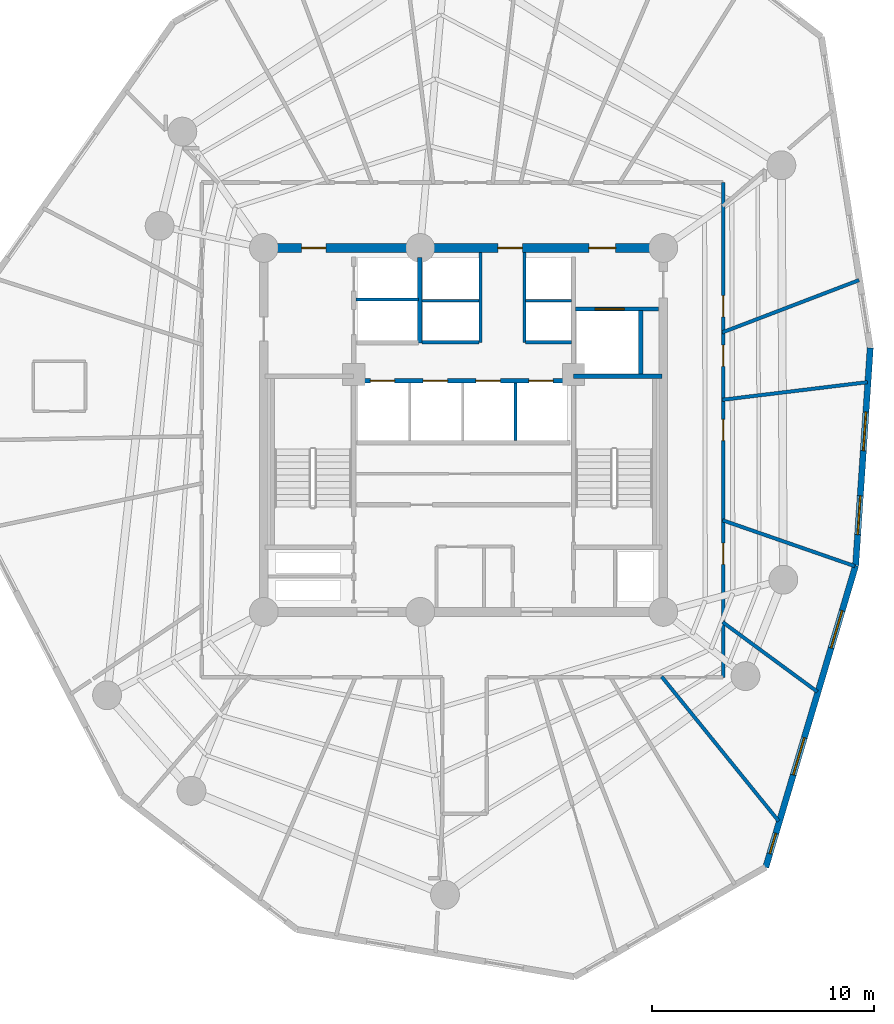
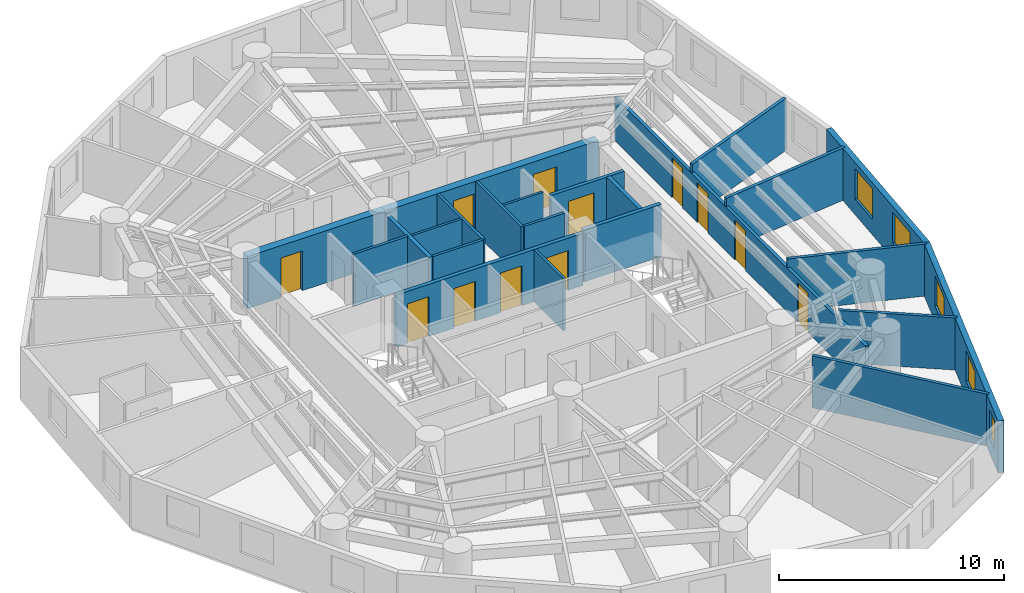
# One storey, part 5 of 8: 23 walls, 12 doors, 5 windows, 17 openings.
"""IFC4 building model written with IfcOpenShell, lengths in metres."""

from ifc_helpers import new_model, si_unit, direction, frame, frame_2d, origin, origin_with_axes, place, context, subcontext, project, spatial, rectangle, extrude, source, transform, mapped, material, layer, layer_set, type_object, element, fill, save


model = new_model("IFC4")

# Units and contexts
model_context = context("Model", 3, precision=1e-05, world=origin(), true_north=direction((0.0, 1.0)))
body_context = subcontext(model_context, "Body", "Model", "MODEL_VIEW")
ifc_project = project(units=[si_unit("LENGTHUNIT", "METRE"), si_unit("AREAUNIT", "SQUARE_METRE"), si_unit("VOLUMEUNIT", "CUBIC_METRE"), si_unit("PLANEANGLEUNIT", "RADIAN"), si_unit("MASSUNIT", "GRAM", prefix="KILO")], contexts=[model_context])

# Site, building, storey
site_placement = place(None, origin())
site = spatial("IfcSite", under=ifc_project, at=site_placement, CompositionType="ELEMENT")
building_placement = place(site_placement, origin())
building = spatial("IfcBuilding", under=site, at=building_placement, Name="Karkom Vertical University and Central Library", CompositionType="ELEMENT")
storey_placement = place(building_placement, frame((0.0, 0.0, 177.89990234375)))
storey = spatial("IfcBuildingStorey", under=building, at=storey_placement, Name="L51", CompositionType="ELEMENT", Elevation=177.89990234375)

# Wall, openings, windows
ifc_material_1 = material(Name="Brick-faced precast concrete C45/55", Category="masonry")
ifc_layer_1 = layer(ifc_material_1, 0.280029296875)
ifc_layer_set_1 = layer_set([ifc_layer_1], Name="Brick-faced precast concrete C45/55")
wall_type_1 = type_object("IfcWallType", Name="ENV-WL-BRK-280", PredefinedType="SOLIDWALL", material=ifc_layer_set_1)
wall_1_placement = place(storey_placement, frame((42.119140625, 6.789306640625, 0.0), z_axis=(0.0, 0.0, 1.0), x_axis=(0.285482975758, 0.95838378041, 0.0)))
wall_1 = element("IfcWall", 1, at=wall_1_placement, inside=storey, type_object=wall_type_1, Name="Level 51 Brick-Faced Precast Facade Wall 06", PredefinedType="SOLIDWALL", context=body_context, shape_type="SweptSolid", body=[
    extrude(rectangle(XDim=14.1884765625, YDim=0.280029296875, at=frame_2d((7.09423828125, 0.0))), origin(), (0.0, 0.0, 1.0), 2.8251953125),
])
opening_1_placement = place(wall_1_placement, frame((0.646484375, 0.0, 0.85009765625)))
opening_1 = element("IfcOpeningElement", 2, at=opening_1_placement, cuts=wall_1, Name="Opening WN-12", PredefinedType="OPENING", context=body_context, shape_type="SweptSolid", body=[
    extrude(rectangle(XDim=0.949951171875, YDim=1.5, at=frame_2d((0.47509765625, 0.75))), frame((0.0, 0.14990234375, 0.0), z_axis=(0.0, -1.0, 0.0), x_axis=(1.0, 0.0, 0.0)), (0.0, 0.0, 1.0), 0.300048828125),
])
opening_2_placement = place(wall_1_placement, frame((4.34521484375, 0.0, 0.85009765625)))
opening_2 = element("IfcOpeningElement", 3, at=opening_2_placement, cuts=wall_1, Name="Opening WN-08", PredefinedType="OPENING", context=body_context, shape_type="SweptSolid", body=[
    extrude(rectangle(XDim=1.75, YDim=1.64990234375, at=frame_2d((0.875, 0.824951171875))), frame((0.0, 0.14990234375, 0.0), z_axis=(0.0, -1.0, 0.0), x_axis=(1.0, 0.0, 0.0)), (0.0, 0.0, 1.0), 0.300048828125),
])
opening_3_placement = place(wall_1_placement, frame((10.31787109375, 0.0, 0.85009765625)))
opening_3 = element("IfcOpeningElement", 4, at=opening_3_placement, cuts=wall_1, Name="Opening WN-08", PredefinedType="OPENING", context=body_context, shape_type="SweptSolid", body=[
    extrude(rectangle(XDim=1.75, YDim=1.64990234375, at=frame_2d((0.875, 0.824951171875))), frame((0.0, 0.14990234375, 0.0), z_axis=(0.0, -1.0, 0.0), x_axis=(1.0, 0.0, 0.0)), (0.0, 0.0, 1.0), 0.300048828125),
])
ifc_material_2 = material(Name="Aluminium thermal-break frame with solar-control IGU", Category="aluminium")
window_type_1 = type_object("IfcWindowType", Name="ENV-WIN-WN-12", PartitioningType="SINGLE_PANEL", PredefinedType="WINDOW", material=ifc_material_2)
shared_shape_1 = source(origin_with_axes(), body_context, "Body", "SweptSolid", [
    extrude(rectangle(XDim=0.949951171875, YDim=1.5, at=frame_2d((0.47509765625, 0.75))), frame((0.0, 0.030029296875, 0.0), z_axis=(0.0, -1.0, 0.0), x_axis=(1.0, 0.0, 0.0)), (0.0, 0.0, 1.0), 0.06005859375),
])
window_1_placement = place(opening_1_placement, origin())
window_1 = element("IfcWindow", 5, at=window_1_placement, inside=storey, type_object=window_type_1, Name="Level 51 Punched Window 6.1", OverallHeight=1.5, OverallWidth=0.949951171875, PartitioningType="SINGLE_PANEL", PredefinedType="WINDOW", context=body_context, shape_type="MappedRepresentation", body=[
    mapped(shared_shape_1, transform((0.0, 0.0, 0.0), scale=1.0)),
])
fill(opening_1, window_1)
window_type_2 = type_object("IfcWindowType", Name="ENV-WIN-WN-08", PartitioningType="SINGLE_PANEL", PredefinedType="WINDOW", material=ifc_material_2)
shared_shape_2 = source(origin_with_axes(), body_context, "Body", "SweptSolid", [
    extrude(rectangle(XDim=1.75, YDim=1.64990234375, at=frame_2d((0.875, 0.824951171875))), frame((0.0, 0.030029296875, 0.0), z_axis=(0.0, -1.0, 0.0), x_axis=(1.0, 0.0, 0.0)), (0.0, 0.0, 1.0), 0.06005859375),
])
window_2_placement = place(opening_2_placement, origin())
window_2 = element("IfcWindow", 6, at=window_2_placement, inside=storey, type_object=window_type_2, Name="Level 51 Punched Window 6.2", OverallHeight=1.64990234375, OverallWidth=1.75, PartitioningType="SINGLE_PANEL", PredefinedType="WINDOW", context=body_context, shape_type="MappedRepresentation", body=[
    mapped(shared_shape_2, transform((0.0, 0.0, 0.0), scale=1.0)),
])
fill(opening_2, window_2)
window_3_placement = place(opening_3_placement, origin())
window_3 = element("IfcWindow", 7, at=window_3_placement, inside=storey, type_object=window_type_2, Name="Level 51 Punched Window 6.3", OverallHeight=1.64990234375, OverallWidth=1.75, PartitioningType="SINGLE_PANEL", PredefinedType="WINDOW", context=body_context, shape_type="MappedRepresentation", body=[
    mapped(shared_shape_2, transform((0.0, 0.0, 0.0), scale=1.0)),
])
fill(opening_3, window_3)

wall_2_placement = place(storey_placement, frame((46.169677734375, 20.38720703125, 0.0), z_axis=(0.0, 0.0, 1.0), x_axis=(0.066973904277, 0.997754727449, 0.0)))
wall_2 = element("IfcWall", 8, at=wall_2_placement, inside=storey, type_object=wall_type_1, Name="Level 51 Brick-Faced Precast Facade Wall 07", PredefinedType="SOLIDWALL", context=body_context, shape_type="SweptSolid", body=[
    extrude(rectangle(XDim=9.831298828125, YDim=0.280029296875, at=frame_2d((4.91552734375, 0.0))), origin(), (0.0, 0.0, 1.0), 2.8251953125),
])
opening_4_placement = place(wall_2_placement, frame((1.398681640625, 0.0, 0.85009765625)))
opening_4 = element("IfcOpeningElement", 9, at=opening_4_placement, cuts=wall_2, Name="Opening WN-08", PredefinedType="OPENING", context=body_context, shape_type="SweptSolid", body=[
    extrude(rectangle(XDim=1.75, YDim=1.64990234375, at=frame_2d((0.875, 0.824951171875))), frame((0.0, 0.14990234375, 0.0), z_axis=(0.0, -1.0, 0.0), x_axis=(1.0, 0.0, 0.0)), (0.0, 0.0, 1.0), 0.300048828125),
])
opening_5_placement = place(wall_2_placement, frame((5.186279296875, 0.0, 0.85009765625)))
opening_5 = element("IfcOpeningElement", 10, at=opening_5_placement, cuts=wall_2, Name="Opening WN-08", PredefinedType="OPENING", context=body_context, shape_type="SweptSolid", body=[
    extrude(rectangle(XDim=1.75, YDim=1.64990234375, at=frame_2d((0.875, 0.824951171875))), frame((0.0, 0.14990234375, 0.0), z_axis=(0.0, -1.0, 0.0), x_axis=(1.0, 0.0, 0.0)), (0.0, 0.0, 1.0), 0.300048828125),
])
window_4_placement = place(opening_4_placement, origin())
window_4 = element("IfcWindow", 11, at=window_4_placement, inside=storey, type_object=window_type_2, Name="Level 51 Punched Window 7.1", OverallHeight=1.64990234375, OverallWidth=1.75, PartitioningType="SINGLE_PANEL", PredefinedType="WINDOW", context=body_context, shape_type="MappedRepresentation", body=[
    mapped(shared_shape_2, transform((0.0, 0.0, 0.0), scale=1.0)),
])
fill(opening_4, window_4)
window_5_placement = place(opening_5_placement, origin())
window_5 = element("IfcWindow", 12, at=window_5_placement, inside=storey, type_object=window_type_2, Name="Level 51 Punched Window 7.2", OverallHeight=1.64990234375, OverallWidth=1.75, PartitioningType="SINGLE_PANEL", PredefinedType="WINDOW", context=body_context, shape_type="MappedRepresentation", body=[
    mapped(shared_shape_2, transform((0.0, 0.0, 0.0), scale=1.0)),
])
fill(opening_5, window_5)

# Wall, openings, doors
ifc_material_3 = material(Name="Insulated metal-stud drywall 160mm", Category="gypsum")
ifc_layer_2 = layer(ifc_material_3, 0.159912109375)
ifc_layer_set_2 = layer_set([ifc_layer_2], Name="Insulated metal-stud drywall 160mm")
wall_type_2 = type_object("IfcWallType", Name="INT-WL-COR-160", PredefinedType="PARTITIONING", material=ifc_layer_set_2)
wall_3_placement = place(storey_placement, frame((40.199951171875, 37.64990234375, 0.0), z_axis=(0.0, 0.0, 1.0), x_axis=(0.0, -1.0, 0.0)))
wall_3 = element("IfcWall", 13, at=wall_3_placement, inside=storey, type_object=wall_type_2, Name="Level 51 Interior Partition Wall L51-CORW-CW-004", PredefinedType="PARTITIONING", context=body_context, shape_type="SweptSolid", body=[
    extrude(rectangle(XDim=22.2998046875, YDim=0.159912109375, at=frame_2d((11.14990234375, 0.0))), origin(), (0.0, 0.0, 1.0), 2.375),
])
opening_6_placement = place(wall_3_placement, frame((16.25, 0.0, 0.0)))
opening_6 = element("IfcOpeningElement", 14, at=opening_6_placement, cuts=wall_3, Name="Opening FD-RM2", PredefinedType="OPENING", context=body_context, shape_type="SweptSolid", body=[
    extrude(rectangle(XDim=0.9599609375, YDim=2.14990234375, at=frame_2d((0.47998046875, 1.074951171875))), frame((0.0, 0.08984375, 0.0), z_axis=(0.0, -1.0, 0.0), x_axis=(1.0, 0.0, 0.0)), (0.0, 0.0, 1.0), 0.179931640625),
])
opening_7_placement = place(wall_3_placement, frame((10.675048828125, 0.0, 0.0)))
opening_7 = element("IfcOpeningElement", 15, at=opening_7_placement, cuts=wall_3, Name="Opening FD-RM2", PredefinedType="OPENING", context=body_context, shape_type="SweptSolid", body=[
    extrude(rectangle(XDim=0.9599609375, YDim=2.14990234375, at=frame_2d((0.47998046875, 1.074951171875))), frame((0.0, 0.08984375, 0.0), z_axis=(0.0, -1.0, 0.0), x_axis=(1.0, 0.0, 0.0)), (0.0, 0.0, 1.0), 0.179931640625),
])
opening_8_placement = place(wall_3_placement, frame((7.330078125, 0.0, 0.0)))
opening_8 = element("IfcOpeningElement", 16, at=opening_8_placement, cuts=wall_3, Name="Opening FD-RM2", PredefinedType="OPENING", context=body_context, shape_type="SweptSolid", body=[
    extrude(rectangle(XDim=0.9599609375, YDim=2.14990234375, at=frame_2d((0.47998046875, 1.074951171875))), frame((0.0, 0.08984375, 0.0), z_axis=(0.0, -1.0, 0.0), x_axis=(1.0, 0.0, 0.0)), (0.0, 0.0, 1.0), 0.179931640625),
])
opening_9_placement = place(wall_3_placement, frame((5.10009765625, 0.0, 0.0)))
opening_9 = element("IfcOpeningElement", 17, at=opening_9_placement, cuts=wall_3, Name="Opening FD-RM2", PredefinedType="OPENING", context=body_context, shape_type="SweptSolid", body=[
    extrude(rectangle(XDim=0.9599609375, YDim=2.14990234375, at=frame_2d((0.47998046875, 1.074951171875))), frame((0.0, 0.08984375, 0.0), z_axis=(0.0, -1.0, 0.0), x_axis=(1.0, 0.0, 0.0)), (0.0, 0.0, 1.0), 0.179931640625),
])
ifc_material_4 = material(Name="Fire-rated oak veneer door", Category="wood")
door_type_1 = type_object("IfcDoorType", Name="INT-DR-FRM2", OperationType="NOTDEFINED", PredefinedType="DOOR", material=ifc_material_4)
shared_shape_3 = source(origin_with_axes(), body_context, "Body", "SweptSolid", [
    extrude(rectangle(XDim=0.9599609375, YDim=2.14990234375, at=frame_2d((0.47998046875, 1.074951171875))), frame((0.0, 0.02490234375, 0.0), z_axis=(0.0, -1.0, 0.0), x_axis=(1.0, 0.0, 0.0)), (0.0, 0.0, 1.0), 0.050048828125),
])
door_1_placement = place(opening_6_placement, origin())
door_1 = element("IfcDoor", 18, at=door_1_placement, inside=storey, type_object=door_type_1, Name="Level 51 Room Entry Door 110", OperationType="SINGLE_SWING_LEFT", OverallHeight=2.14990234375, OverallWidth=0.9599609375, PredefinedType="DOOR", context=body_context, shape_type="MappedRepresentation", body=[
    mapped(shared_shape_3, transform((0.0, 0.0, 0.0), scale=1.0)),
])
fill(opening_6, door_1)
door_2_placement = place(opening_7_placement, origin())
door_2 = element("IfcDoor", 19, at=door_2_placement, inside=storey, type_object=door_type_1, Name="Level 51 Room Entry Door 120", OperationType="SINGLE_SWING_RIGHT", OverallHeight=2.14990234375, OverallWidth=0.9599609375, PredefinedType="DOOR", context=body_context, shape_type="MappedRepresentation", body=[
    mapped(shared_shape_3, transform((0.0, 0.0, 0.0), scale=1.0)),
])
fill(opening_7, door_2)
door_3_placement = place(opening_8_placement, origin())
door_3 = element("IfcDoor", 20, at=door_3_placement, inside=storey, type_object=door_type_1, Name="Level 51 Room Entry Door 130", OperationType="SINGLE_SWING_LEFT", OverallHeight=2.14990234375, OverallWidth=0.9599609375, PredefinedType="DOOR", context=body_context, shape_type="MappedRepresentation", body=[
    mapped(shared_shape_3, transform((0.0, 0.0, 0.0), scale=1.0)),
])
fill(opening_8, door_3)
door_4_placement = place(opening_9_placement, origin())
door_4 = element("IfcDoor", 21, at=door_4_placement, inside=storey, type_object=door_type_1, Name="Level 51 Room Entry Door 140", OperationType="SINGLE_SWING_RIGHT", OverallHeight=2.14990234375, OverallWidth=0.9599609375, PredefinedType="DOOR", context=body_context, shape_type="MappedRepresentation", body=[
    mapped(shared_shape_3, transform((0.0, 0.0, 0.0), scale=1.0)),
])
fill(opening_9, door_4)

# Walls
wall_4_placement = place(storey_placement, frame((37.426513671875, 15.385009765625, 0.0), z_axis=(0.0, 0.0, 1.0), x_axis=(0.629457976266, -0.777034526977, 0.0)))
element("IfcWall", 22, at=wall_4_placement, inside=storey, type_object=wall_type_2, Name="Level 51 Interior Partition Wall L51-PW-015", PredefinedType="PARTITIONING", context=body_context, shape_type="SweptSolid", body=[
    extrude(rectangle(XDim=8.380859375, YDim=0.159912109375, at=frame_2d((4.1904296875, 0.0))), origin(), (0.0, 0.0, 1.0), 2.8251953125),
])
wall_5_placement = place(storey_placement, frame((40.157958984375, 30.892822265625, 0.0), z_axis=(0.0, 0.0, 1.0), x_axis=(0.93406635083, 0.357099499086, 0.0)))
element("IfcWall", 23, at=wall_5_placement, inside=storey, type_object=wall_type_2, Name="Level 51 Interior Partition Wall L51-PW-019", PredefinedType="PARTITIONING", context=body_context, shape_type="SweptSolid", body=[
    extrude(rectangle(XDim=6.60009765625, YDim=0.159912109375, at=frame_2d((3.300048828125, 0.0))), origin(), (0.0, 0.0, 1.0), 2.8251953125),
])
wall_6_placement = place(storey_placement, frame((40.1552734375, 27.856689453125, 0.0), z_axis=(0.0, 0.0, 1.0), x_axis=(0.992692158269, 0.120674267812, 0.0)))
element("IfcWall", 24, at=wall_6_placement, inside=storey, type_object=wall_type_2, Name="Level 51 Interior Partition Wall L51-PW-018", PredefinedType="PARTITIONING", context=body_context, shape_type="SweptSolid", body=[
    extrude(rectangle(XDim=6.59130859375, YDim=0.159912109375, at=frame_2d((3.295654296875, 0.0))), origin(), (0.0, 0.0, 1.0), 2.8251953125),
])
wall_7_placement = place(storey_placement, frame((40.171630859375, 22.43115234375, 0.0), z_axis=(0.0, 0.0, 1.0), x_axis=(0.944632881591, -0.328129119429, 0.0)))
element("IfcWall", 25, at=wall_7_placement, inside=storey, type_object=wall_type_2, Name="Level 51 Interior Partition Wall L51-PW-017", PredefinedType="PARTITIONING", context=body_context, shape_type="SweptSolid", body=[
    extrude(rectangle(XDim=6.313232421875, YDim=0.159912109375, at=frame_2d((3.15673828125, 0.0))), origin(), (0.0, 0.0, 1.0), 2.8251953125),
])
wall_8_placement = place(storey_placement, frame((40.17578125, 17.839599609375, 0.0), z_axis=(0.0, 0.0, 1.0), x_axis=(0.805603159263, -0.592455525576, 0.0)))
element("IfcWall", 26, at=wall_8_placement, inside=storey, type_object=wall_type_2, Name="Level 51 Interior Partition Wall L51-PW-016", PredefinedType="PARTITIONING", context=body_context, shape_type="SweptSolid", body=[
    extrude(rectangle(XDim=5.2998046875, YDim=0.159912109375, at=frame_2d((2.64990234375, 0.0))), origin(), (0.0, 0.0, 1.0), 2.8251953125),
])
ifc_material_5 = material(Name="Moisture-resistant drywall 120mm", Category="gypsum")
ifc_layer_3 = layer(ifc_material_5, 0.1201171875)
ifc_layer_set_3 = layer_set([ifc_layer_3], Name="Moisture-resistant drywall 120mm")
wall_type_3 = type_object("IfcWallType", Name="INT-WL-INT-120H", PredefinedType="PARTITIONING", material=ifc_layer_set_3)
wall_9_placement = place(storey_placement, frame((30.840087890625, 26.02001953125, 0.0), z_axis=(0.0, 0.0, 1.0), x_axis=(0.0, 1.0, 0.0)))
element("IfcWall", 27, at=wall_9_placement, inside=storey, type_object=wall_type_3, Name="Level 51 Interior Partition Wall L51-CW-PM-DIV3", PredefinedType="PARTITIONING", context=body_context, shape_type="SweptSolid", body=[
    extrude(rectangle(XDim=2.60009765625, YDim=0.1201171875, at=frame_2d((1.300048828125, 0.0))), origin(), (0.0, 0.0, 1.0), 2.8251953125),
])
wall_10_placement = place(storey_placement, frame((26.6201171875, 32.320068359375, 0.0), z_axis=(0.0, 0.0, 1.0), x_axis=(1.0, 0.0, 0.0)))
element("IfcWall", 28, at=wall_10_placement, inside=storey, type_object=wall_type_3, Name="Level 51 Interior Partition Wall L51-CW-PH-MW", PredefinedType="PARTITIONING", context=body_context, shape_type="SweptSolid", body=[
    extrude(rectangle(XDim=2.579833984375, YDim=0.1201171875, at=frame_2d((1.2900390625, 0.0))), origin(), (0.0, 0.0, 1.0), 2.8251953125),
])
wall_11_placement = place(storey_placement, frame((31.300048828125, 32.320068359375, 0.0), z_axis=(0.0, 0.0, 1.0), x_axis=(1.0, 0.0, 0.0)))
element("IfcWall", 29, at=wall_11_placement, inside=storey, type_object=wall_type_3, Name="Level 51 Interior Partition Wall L51-CW-PH-ME", PredefinedType="PARTITIONING", context=body_context, shape_type="SweptSolid", body=[
    extrude(rectangle(XDim=2.074951171875, YDim=0.1201171875, at=frame_2d((1.03759765625, 0.0))), origin(), (0.0, 0.0, 1.0), 2.8251953125),
])
ifc_material_6 = material(Name="Metal-stud gypsum partition 140mm", Category="gypsum")
ifc_layer_4 = layer(ifc_material_6, 0.139892578125)
ifc_layer_set_4 = layer_set([ifc_layer_4], Name="Metal-stud gypsum partition 140mm")
wall_type_4 = type_object("IfcWallType", Name="INT-WL-SUB-140H", PredefinedType="PARTITIONING", material=ifc_layer_set_4)
for number, where, z_axis, x_axis, name in (
    (30, (29.260009765625, 30.449951171875, 0.0), (0.0, 0.0, 1.0), (0.0, 1.0, 0.0), "Level 51 Interior Partition Wall L51-CW-PH-W"),
    (31, (31.239990234375, 30.449951171875, 0.0), (0.0, 0.0, 1.0), (0.0, 1.0, 0.0), "Level 51 Interior Partition Wall L51-CW-PH-E"),
):
    element("IfcWall", number, at=place(storey_placement, frame(where, z_axis=z_axis, x_axis=x_axis)), inside=storey, type_object=wall_type_4, Name=name, PredefinedType="PARTITIONING", context=body_context, shape_type="SweptSolid", body=[
        extrude(rectangle(XDim=4.04296875, YDim=0.139892578125, at=frame_2d((2.021484375, 0.0))), origin(), (0.0, 0.0, 1.0), 2.8251953125),
    ])
wall_12_placement = place(storey_placement, frame((26.6201171875, 30.449951171875, 0.0), z_axis=(0.0, 0.0, 1.0), x_axis=(1.0, 0.0, 0.0)))
element("IfcWall", 32, at=wall_12_placement, inside=storey, type_object=wall_type_4, Name="Level 51 Interior Partition Wall L51-CW-PH-S1", PredefinedType="PARTITIONING", context=body_context, shape_type="SweptSolid", body=[
    extrude(rectangle(XDim=2.579833984375, YDim=0.139892578125, at=frame_2d((1.2900390625, 0.0))), origin(), (0.0, 0.0, 1.0), 2.8251953125),
])
wall_13_placement = place(storey_placement, frame((31.300048828125, 30.449951171875, 0.0), z_axis=(0.0, 0.0, 1.0), x_axis=(1.0, 0.0, 0.0)))
element("IfcWall", 33, at=wall_13_placement, inside=storey, type_object=wall_type_4, Name="Level 51 Interior Partition Wall L51-CW-PH-S2", PredefinedType="PARTITIONING", context=body_context, shape_type="SweptSolid", body=[
    extrude(rectangle(XDim=2.074951171875, YDim=0.139892578125, at=frame_2d((1.03759765625, 0.0))), origin(), (0.0, 0.0, 1.0), 2.8251953125),
])
ifc_layer_5 = layer(ifc_material_6, 0.139892578125)
ifc_layer_set_5 = layer_set([ifc_layer_5], Name="Metal-stud gypsum partition 140mm")
wall_type_5 = type_object("IfcWallType", Name="INT-WL-SUB-140X", PredefinedType="PARTITIONING", material=ifc_layer_set_5)
wall_14_placement = place(storey_placement, frame((23.652099609375, 32.3701171875, 0.0), z_axis=(0.0, 0.0, 1.0), x_axis=(1.0, 0.0, 0.0)))
element("IfcWall", 34, at=wall_14_placement, inside=storey, type_object=wall_type_5, Name="Level 51 Interior Partition Wall L51-CW-FFL-M", PredefinedType="PARTITIONING", context=body_context, shape_type="SweptSolid", body=[
    extrude(rectangle(XDim=2.827880859375, YDim=0.139892578125, at=frame_2d((1.4140625, 0.0))), origin(), (0.0, 0.0, 1.0), 2.8251953125),
])

# Wall, opening, door
ifc_material_7 = material(Name="Twin-stud acoustic drywall 180mm", Category="gypsum")
ifc_layer_6 = layer(ifc_material_7, 0.179931640625)
ifc_layer_set_6 = layer_set([ifc_layer_6], Name="Twin-stud acoustic drywall 180mm")
wall_type_6 = type_object("IfcWallType", Name="INT-WL-TEN-180F", PredefinedType="PARTITIONING", material=ifc_layer_set_6)
wall_15_placement = place(storey_placement, frame((33.534912109375, 31.949951171875, 0.0), z_axis=(0.0, 0.0, 1.0), x_axis=(1.0, 0.0, 0.0)))
wall_15 = element("IfcWall", 35, at=wall_15_placement, inside=storey, type_object=wall_type_6, Name="Level 51 Interior Partition Wall L51-CW-SVL-N", PredefinedType="PARTITIONING", context=body_context, shape_type="SweptSolid", body=[
    extrude(rectangle(XDim=3.7587890625, YDim=0.179931640625, at=frame_2d((1.87939453125, 0.0))), origin(), (0.0, 0.0, 1.0), 2.8251953125),
])
opening_10_placement = place(wall_15_placement, frame((0.89990234375, 0.0, 0.0)))
opening_10 = element("IfcOpeningElement", 36, at=opening_10_placement, cuts=wall_15, Name="Opening LD-SV1", PredefinedType="OPENING", context=body_context, shape_type="SweptSolid", body=[
    extrude(rectangle(XDim=1.300048828125, YDim=2.199951171875, at=frame_2d((0.64990234375, 1.10009765625))), frame((0.0, 0.10009765625, 0.0), z_axis=(0.0, -1.0, 0.0), x_axis=(1.0, 0.0, 0.0)), (0.0, 0.0, 1.0), 0.199951171875),
])
ifc_material_8 = material(Name="Brushed stainless-steel landing door", Category="steel")
door_type_2 = type_object("IfcDoorType", Name="INT-DR-LD-SV1", OperationType="SLIDING_TO_LEFT", PredefinedType="DOOR", material=ifc_material_8)
shared_shape_4 = source(origin_with_axes(), body_context, "Body", "SweptSolid", [
    extrude(rectangle(XDim=1.300048828125, YDim=2.199951171875, at=frame_2d((0.64990234375, 1.10009765625))), frame((0.0, 0.02490234375, 0.0), z_axis=(0.0, -1.0, 0.0), x_axis=(1.0, 0.0, 0.0)), (0.0, 0.0, 1.0), 0.050048828125),
])
door_5_placement = place(opening_10_placement, origin())
door_5 = element("IfcDoor", 37, at=door_5_placement, inside=storey, type_object=door_type_2, Name="Level 51 Service Lift Landing Door LD-SV1", OperationType="SLIDING_TO_LEFT", OverallHeight=2.199951171875, OverallWidth=1.300048828125, PredefinedType="DOOR", context=body_context, shape_type="MappedRepresentation", body=[
    mapped(shared_shape_4, transform((0.0, 0.0, 0.0), scale=1.0)),
])
fill(opening_10, door_5)

# Wall, openings, doors
ifc_material_9 = material(Name="Concrete C50/60", Category="concrete")
ifc_layer_7 = layer(ifc_material_9, 0.39990234375)
ifc_layer_set_7 = layer_set([ifc_layer_7], Name="Concrete C50/60")
wall_type_7 = type_object("IfcWallType", Name="STR-WL-CW-400", PredefinedType="SHEAR", material=ifc_layer_set_7)
wall_16_placement = place(storey_placement, frame((37.5, 34.699951171875, 0.0), z_axis=(0.0, 0.0, 1.0), x_axis=(-1.0, 0.0, 0.0)))
wall_16 = element("IfcWall", 38, at=wall_16_placement, inside=storey, type_object=wall_type_7, Name="Level 51 Central Core Shear Wall NW1", PredefinedType="SHEAR", context=body_context, shape_type="SweptSolid", body=[
    extrude(rectangle(XDim=10.949951171875, YDim=0.39990234375, at=frame_2d((5.47509765625, 0.0))), origin(), (0.0, 0.0, 1.0), 2.8251953125),
])
opening_11_placement = place(wall_16_placement, frame((2.14990234375, 0.0, 0.0)))
opening_11 = element("IfcOpeningElement", 39, at=opening_11_placement, cuts=wall_16, Name="Opening FD-SUB1", PredefinedType="OPENING", context=body_context, shape_type="SweptSolid", body=[
    extrude(rectangle(XDim=1.199951171875, YDim=2.14990234375, at=frame_2d((0.60009765625, 1.074951171875))), frame((0.0, 0.2099609375, 0.0), z_axis=(0.0, -1.0, 0.0), x_axis=(1.0, 0.0, 0.0)), (0.0, 0.0, 1.0), 0.419921875),
])
opening_12_placement = place(wall_16_placement, frame((6.35009765625, 0.0, 0.0)))
opening_12 = element("IfcOpeningElement", 40, at=opening_12_placement, cuts=wall_16, Name="Opening FD-FFL", PredefinedType="OPENING", context=body_context, shape_type="SweptSolid", body=[
    extrude(rectangle(XDim=1.10009765625, YDim=2.14990234375, at=frame_2d((0.550048828125, 1.074951171875))), frame((0.0, 0.2099609375, 0.0), z_axis=(0.0, -1.0, 0.0), x_axis=(1.0, 0.0, 0.0)), (0.0, 0.0, 1.0), 0.419921875),
])
ifc_material_10 = material(Name="Painted steel smoke-seal fire door", Category="steel")
door_type_3 = type_object("IfcDoorType", Name="INT-DR-FFL", OperationType="NOTDEFINED", PredefinedType="DOOR", material=ifc_material_10)
shared_shape_5 = source(origin_with_axes(), body_context, "Body", "SweptSolid", [
    extrude(rectangle(XDim=1.10009765625, YDim=2.14990234375, at=frame_2d((0.550048828125, 1.074951171875))), frame((0.0, 0.02490234375, 0.0), z_axis=(0.0, -1.0, 0.0), x_axis=(1.0, 0.0, 0.0)), (0.0, 0.0, 1.0), 0.050048828125),
])
door_6_placement = place(opening_12_placement, origin())
door_6 = element("IfcDoor", 41, at=door_6_placement, inside=storey, type_object=door_type_3, Name="Level 51 North Core Lobby Exit Door", OperationType="SINGLE_SWING_RIGHT", OverallHeight=2.14990234375, OverallWidth=1.10009765625, PredefinedType="DOOR", context=body_context, shape_type="MappedRepresentation", body=[
    mapped(shared_shape_5, transform((0.0, 0.0, 0.0), scale=1.0)),
])
fill(opening_12, door_6)
ifc_material_11 = material(Name="Painted steel fire door", Category="steel")
door_type_4 = type_object("IfcDoorType", Name="INT-DR-SUB1", OperationType="NOTDEFINED", PredefinedType="DOOR", material=ifc_material_11)
shared_shape_6 = source(origin_with_axes(), body_context, "Body", "SweptSolid", [
    extrude(rectangle(XDim=1.199951171875, YDim=2.14990234375, at=frame_2d((0.60009765625, 1.074951171875))), frame((0.0, 0.02490234375, 0.0), z_axis=(0.0, -1.0, 0.0), x_axis=(1.0, 0.0, 0.0)), (0.0, 0.0, 1.0), 0.050048828125),
])
door_7_placement = place(opening_11_placement, origin())
door_7 = element("IfcDoor", 42, at=door_7_placement, inside=storey, type_object=door_type_4, Name="Level 51 Service Lobby Fire Door", OperationType="SINGLE_SWING_RIGHT", OverallHeight=2.14990234375, OverallWidth=1.199951171875, PredefinedType="DOOR", context=body_context, shape_type="MappedRepresentation", body=[
    mapped(shared_shape_6, transform((0.0, 0.0, 0.0), scale=1.0)),
])
fill(opening_11, door_7)

# Wall, opening, door
wall_17_placement = place(storey_placement, frame((26.550048828125, 34.699951171875, 0.0), z_axis=(0.0, 0.0, 1.0), x_axis=(-1.0, 0.0, 0.0)))
wall_17 = element("IfcWall", 43, at=wall_17_placement, inside=storey, type_object=wall_type_7, Name="Level 51 Central Core Shear Wall NW2", PredefinedType="SHEAR", context=body_context, shape_type="SweptSolid", body=[
    extrude(rectangle(XDim=7.050048828125, YDim=0.39990234375, at=frame_2d((3.52490234375, 0.0))), origin(), (0.0, 0.0, 1.0), 2.8251953125),
])
opening_13_placement = place(wall_17_placement, frame((4.25, 0.0, 0.0)))
opening_13 = element("IfcOpeningElement", 44, at=opening_13_placement, cuts=wall_17, Name="Opening FD-FFL", PredefinedType="OPENING", context=body_context, shape_type="SweptSolid", body=[
    extrude(rectangle(XDim=1.10009765625, YDim=2.14990234375, at=frame_2d((0.550048828125, 1.074951171875))), frame((0.0, 0.2099609375, 0.0), z_axis=(0.0, -1.0, 0.0), x_axis=(1.0, 0.0, 0.0)), (0.0, 0.0, 1.0), 0.419921875),
])
door_8_placement = place(opening_13_placement, origin())
door_8 = element("IfcDoor", 45, at=door_8_placement, inside=storey, type_object=door_type_3, Name="Level 51 Firefighting Lobby Door", OperationType="SINGLE_SWING_LEFT", OverallHeight=2.14990234375, OverallWidth=1.10009765625, PredefinedType="DOOR", context=body_context, shape_type="MappedRepresentation", body=[
    mapped(shared_shape_5, transform((0.0, 0.0, 0.0), scale=1.0)),
])
fill(opening_13, door_8)

# Wall, openings, doors
ifc_material_12 = material(Name="Concrete C45/55", Category="concrete")
ifc_layer_8 = layer(ifc_material_12, 0.199951171875)
ifc_layer_set_8 = layer_set([ifc_layer_8], Name="Concrete C45/55")
wall_type_8 = type_object("IfcWallType", Name="STR-WL-ST-200", PredefinedType="SHEAR", material=ifc_layer_set_8)
wall_18_placement = place(storey_placement, frame((23.699951171875, 28.719970703125, 0.0), z_axis=(0.0, 0.0, 1.0), x_axis=(1.0, 0.0, 0.0)))
wall_18 = element("IfcWall", 46, at=wall_18_placement, inside=storey, type_object=wall_type_8, Name="Level 51 Core Shaft Wall L51-CW-B2-N", PredefinedType="SHEAR", context=body_context, shape_type="SweptSolid", body=[
    extrude(rectangle(XDim=9.60009765625, YDim=0.199951171875, at=frame_2d((4.800048828125, 0.0))), origin(), (0.0, 0.0, 1.0), 2.8251953125),
])
opening_14_placement = place(wall_18_placement, frame((0.60009765625, 0.0, 0.0)))
opening_14 = element("IfcOpeningElement", 47, at=opening_14_placement, cuts=wall_18, Name="Opening LD-PAX", PredefinedType="OPENING", context=body_context, shape_type="SweptSolid", body=[
    extrude(rectangle(XDim=1.10009765625, YDim=2.14990234375, at=frame_2d((0.550048828125, 1.074951171875))), frame((0.0, 0.10986328125, 0.0), z_axis=(0.0, -1.0, 0.0), x_axis=(1.0, 0.0, 0.0)), (0.0, 0.0, 1.0), 0.219970703125),
])
opening_15_placement = place(wall_18_placement, frame((2.97998046875, 0.0, 0.0)))
opening_15 = element("IfcOpeningElement", 48, at=opening_15_placement, cuts=wall_18, Name="Opening LD-PAX", PredefinedType="OPENING", context=body_context, shape_type="SweptSolid", body=[
    extrude(rectangle(XDim=1.10009765625, YDim=2.14990234375, at=frame_2d((0.550048828125, 1.074951171875))), frame((0.0, 0.10986328125, 0.0), z_axis=(0.0, -1.0, 0.0), x_axis=(1.0, 0.0, 0.0)), (0.0, 0.0, 1.0), 0.219970703125),
])
opening_16_placement = place(wall_18_placement, frame((5.360107421875, 0.0, 0.0)))
opening_16 = element("IfcOpeningElement", 49, at=opening_16_placement, cuts=wall_18, Name="Opening LD-PAX", PredefinedType="OPENING", context=body_context, shape_type="SweptSolid", body=[
    extrude(rectangle(XDim=1.10009765625, YDim=2.14990234375, at=frame_2d((0.550048828125, 1.074951171875))), frame((0.0, 0.10986328125, 0.0), z_axis=(0.0, -1.0, 0.0), x_axis=(1.0, 0.0, 0.0)), (0.0, 0.0, 1.0), 0.219970703125),
])
opening_17_placement = place(wall_18_placement, frame((7.739990234375, 0.0, 0.0)))
opening_17 = element("IfcOpeningElement", 50, at=opening_17_placement, cuts=wall_18, Name="Opening LD-PAX", PredefinedType="OPENING", context=body_context, shape_type="SweptSolid", body=[
    extrude(rectangle(XDim=1.10009765625, YDim=2.14990234375, at=frame_2d((0.550048828125, 1.074951171875))), frame((0.0, 0.10986328125, 0.0), z_axis=(0.0, -1.0, 0.0), x_axis=(1.0, 0.0, 0.0)), (0.0, 0.0, 1.0), 0.219970703125),
])
door_type_5 = type_object("IfcDoorType", Name="INT-DR-LD-PAX", OperationType="SLIDING_TO_LEFT", PredefinedType="DOOR", material=ifc_material_8)
door_9_placement = place(opening_14_placement, origin())
door_9 = element("IfcDoor", 51, at=door_9_placement, inside=storey, type_object=door_type_5, Name="Level 51 Lift PM-1 Landing Door", OperationType="SLIDING_TO_LEFT", OverallHeight=2.14990234375, OverallWidth=1.10009765625, PredefinedType="DOOR", context=body_context, shape_type="MappedRepresentation", body=[
    mapped(shared_shape_5, transform((0.0, 0.0, 0.0), scale=1.0)),
])
fill(opening_14, door_9)
door_10_placement = place(opening_15_placement, origin())
door_10 = element("IfcDoor", 52, at=door_10_placement, inside=storey, type_object=door_type_5, Name="Level 51 Lift PM-2 Landing Door", OperationType="SLIDING_TO_RIGHT", OverallHeight=2.14990234375, OverallWidth=1.10009765625, PredefinedType="DOOR", context=body_context, shape_type="MappedRepresentation", body=[
    mapped(shared_shape_5, transform((0.0, 0.0, 0.0), scale=1.0)),
])
fill(opening_15, door_10)
door_11_placement = place(opening_16_placement, origin())
door_11 = element("IfcDoor", 53, at=door_11_placement, inside=storey, type_object=door_type_5, Name="Level 51 Lift PM-3 Landing Door", OperationType="SLIDING_TO_LEFT", OverallHeight=2.14990234375, OverallWidth=1.10009765625, PredefinedType="DOOR", context=body_context, shape_type="MappedRepresentation", body=[
    mapped(shared_shape_5, transform((0.0, 0.0, 0.0), scale=1.0)),
])
fill(opening_16, door_11)
door_12_placement = place(opening_17_placement, origin())
door_12 = element("IfcDoor", 54, at=door_12_placement, inside=storey, type_object=door_type_5, Name="Level 51 Lift PM-4 Landing Door", OperationType="SLIDING_TO_RIGHT", OverallHeight=2.14990234375, OverallWidth=1.10009765625, PredefinedType="DOOR", context=body_context, shape_type="MappedRepresentation", body=[
    mapped(shared_shape_5, transform((0.0, 0.0, 0.0), scale=1.0)),
])
fill(opening_17, door_12)

# Walls
wall_19_placement = place(storey_placement, frame((33.455078125, 28.925048828125, 0.0), z_axis=(0.0, 0.0, 1.0), x_axis=(1.0, 0.0, 0.0)))
element("IfcWall", 55, at=wall_19_placement, inside=storey, type_object=wall_type_8, Name="Level 51 Core Shaft Wall L51-CW-ST2-N", PredefinedType="SHEAR", context=body_context, shape_type="SweptSolid", body=[
    extrude(rectangle(XDim=3.994873046875, YDim=0.199951171875, at=frame_2d((1.99755859375, 0.0))), origin(), (0.0, 0.0, 1.0), 2.8251953125),
])
wall_20_placement = place(storey_placement, frame((26.52001953125, 30.419921875, 0.0), z_axis=(0.0, 0.0, 1.0), x_axis=(0.0, 1.0, 0.0)))
element("IfcWall", 56, at=wall_20_placement, inside=storey, type_object=wall_type_8, Name="Level 51 Core Shaft Wall L51-CW-FFL-E", PredefinedType="SHEAR", context=body_context, shape_type="SweptSolid", body=[
    extrude(rectangle(XDim=3.860107421875, YDim=0.199951171875, at=frame_2d((1.93017578125, 0.0))), origin(), (0.0, 0.0, 1.0), 2.8251953125),
])
wall_21_placement = place(storey_placement, frame((36.47998046875, 29.02001953125, 0.0), z_axis=(0.0, 0.0, 1.0), x_axis=(0.0, 1.0, 0.0)))
element("IfcWall", 57, at=wall_21_placement, inside=storey, type_object=wall_type_8, Name="Level 51 Core Shaft Wall L51-CW-SVL-E", PredefinedType="SHEAR", context=body_context, shape_type="SweptSolid", body=[
    extrude(rectangle(XDim=2.85986328125, YDim=0.199951171875, at=frame_2d((1.429931640625, 0.0))), origin(), (0.0, 0.0, 1.0), 2.8251953125),
])

save(model, "model.ifc")
